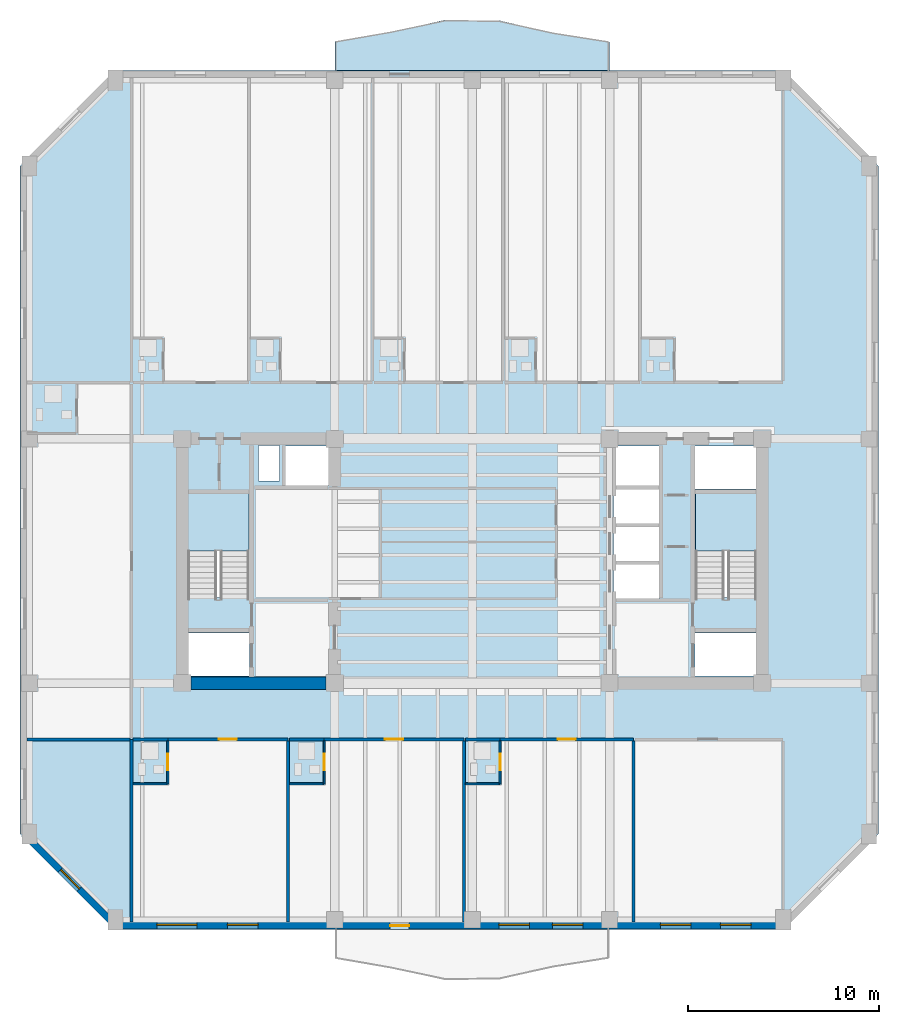
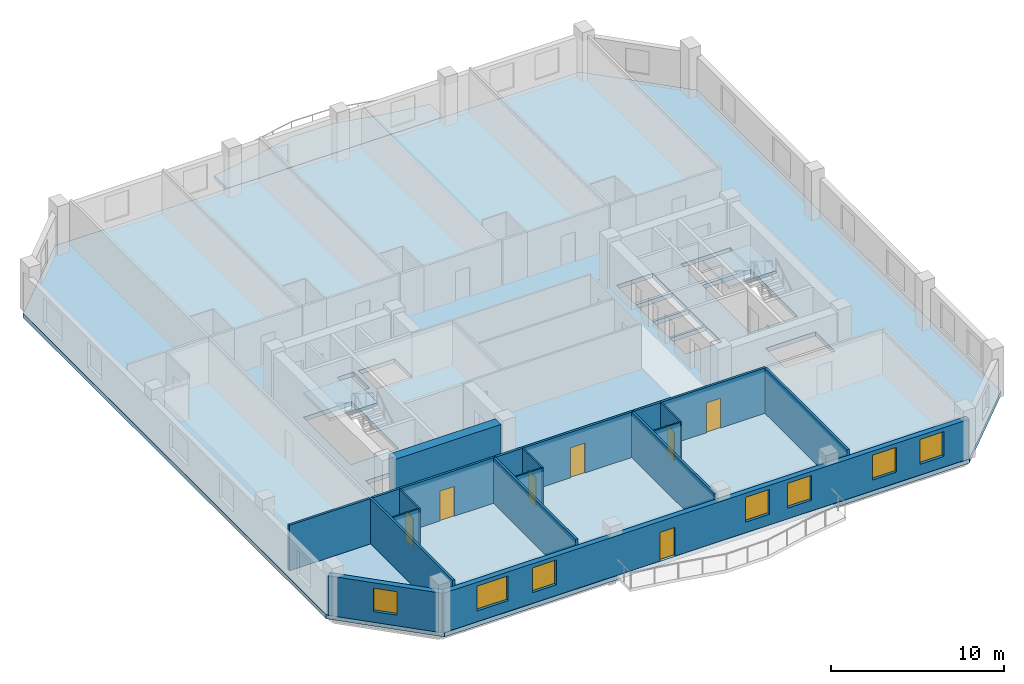
# One storey, part 2 of 10: 20 walls, 7 doors, 7 windows, 4 slabs, 14 openings, 2 elements without a shape of their own.
"""IFC4 building model written with IfcOpenShell, lengths in metres."""

from ifc_helpers import new_model, si_unit, direction, frame, frame_2d, origin, place, context, subcontext, project, spatial, polyline, rectangle, outline, extrude, material, layer, layer_set, type_object, element, fill, aggregate, save


model = new_model("IFC4")

# Units and contexts
model_context = context("Model", 3, precision=1e-05, world=origin(), true_north=direction((0.0, 1.0)))
body_context = subcontext(model_context, "Body", "Model", "MODEL_VIEW")
ifc_project = project(units=[si_unit("LENGTHUNIT", "METRE"), si_unit("AREAUNIT", "SQUARE_METRE"), si_unit("VOLUMEUNIT", "CUBIC_METRE"), si_unit("PLANEANGLEUNIT", "RADIAN"), si_unit("MASSUNIT", "GRAM", prefix="KILO")], contexts=[model_context])

# Site, building, storey
site_placement = place(None, origin())
site = spatial("IfcSite", under=ifc_project, at=site_placement, CompositionType="ELEMENT")
building_placement = place(site_placement, origin())
building = spatial("IfcBuilding", under=site, at=building_placement, Name="Kranthara Brick Stack", CompositionType="ELEMENT")
storey_placement = place(building_placement, frame((0.0, 0.0, 186.800048828125)))
storey = spatial("IfcBuildingStorey", under=building, at=storey_placement, Name="L48", CompositionType="ELEMENT", Elevation=186.800048828125)

# Slab
ifc_material_1 = material(Name="Concrete C45/55", Category="concrete")
ifc_layer_1 = layer(ifc_material_1, 0.219970703125)
ifc_layer_set_1 = layer_set([ifc_layer_1], Name="Concrete C45/55")
slab_type_1 = type_object("IfcSlabType", Name="SLB-BALC-220", PredefinedType="FLOOR", material=ifc_layer_set_1)
slab_1_placement = place(storey_placement, frame((0.0, 0.0, -0.219970703125)))
element("IfcSlab", 1, at=slab_1_placement, inside=storey, type_object=slab_type_1, Name="L48 North Rippling Balcony Slab", PredefinedType="FLOOR", context=body_context, shape_type="SweptSolid", body=[
    extrude(outline(polyline([(35.199951171875, 52.89990234375), (20.800048828125, 52.89990234375), (20.800048828125, 54.41357421875), (23.679931640625, 54.918701171875), (26.56005859375, 55.557373046875), (29.43994140625, 55.526611328125), (32.320068359375, 54.864990234375), (35.199951171875, 54.404541015625), (35.199951171875, 52.89990234375)])), origin(), (0.0, 0.0, 1.0), 0.219970703125),
])

# Stair, slab
ifc_material_2 = material(Name="Concrete C45/55", Category="concrete")
stair_type = type_object("IfcStairType", Name="ST-CORE-20R", PredefinedType="HALF_TURN_STAIR", material=ifc_material_2)
stair_1_placement = place(storey_placement, origin())
stair_1 = element("IfcStair", 2, at=stair_1_placement, inside=storey, type_object=stair_type, Name="L48 West Core Protected Exit Stair ST01", PredefinedType="HALF_TURN_STAIR")
ifc_material_3 = material(Name="Concrete C45/55", Category="concrete")
ifc_layer_2 = layer(ifc_material_3, 0.199951171875)
ifc_layer_set_2 = layer_set([ifc_layer_2], Name="Concrete C45/55")
slab_type_2 = type_object("IfcSlabType", Name="SLB-LANDING-200", PredefinedType="LANDING", material=ifc_layer_set_2)
slab_2_placement = place(storey_placement, frame((0.0, 0.0, 1.550048828125)))
slab_2 = element("IfcSlab", 3, at=slab_2_placement, type_object=slab_type_2, Name="ST01 landing 1", PredefinedType="LANDING", context=body_context, shape_type="SweptSolid", body=[
    extrude(outline(polyline([(16.300048828125, 27.719970703125), (16.300048828125, 30.75), (13.10009765625, 30.75), (13.10009765625, 27.719970703125), (16.300048828125, 27.719970703125)])), origin(), (0.0, 0.0, 1.0), 0.199951171875),
])
aggregate(stair_1, [slab_2])

stair_2_placement = place(storey_placement, origin())
stair_2 = element("IfcStair", 4, at=stair_2_placement, inside=storey, type_object=stair_type, Name="L48 East Core Protected Exit Stair ST02", PredefinedType="HALF_TURN_STAIR")
slab_3_placement = place(storey_placement, frame((0.0, 0.0, 1.550048828125)))
slab_3 = element("IfcSlab", 5, at=slab_3_placement, type_object=slab_type_2, Name="ST02 landing 1", PredefinedType="LANDING", context=body_context, shape_type="SweptSolid", body=[
    extrude(outline(polyline([(42.89990234375, 27.719970703125), (42.89990234375, 30.75), (39.699951171875, 30.75), (39.699951171875, 27.719970703125), (42.89990234375, 27.719970703125)])), origin(), (0.0, 0.0, 1.0), 0.199951171875),
])
aggregate(stair_2, [slab_3])

# Slab
ifc_material_4 = material(Name="Post-tensioned concrete C45/55", Category="concrete")
ifc_layer_3 = layer(ifc_material_4, 0.300048828125)
ifc_layer_set_3 = layer_set([ifc_layer_3], Name="Post-tensioned concrete C45/55")
slab_type_3 = type_object("IfcSlabType", Name="SLB-TWR-300", PredefinedType="FLOOR", material=ifc_layer_set_3)
slab_4_placement = place(storey_placement, frame((0.0, 0.0, -0.300048828125)))
element("IfcSlab", 6, at=slab_4_placement, inside=storey, type_object=slab_type_3, Name="L48 Structural Floor Plate", PredefinedType="FLOOR", context=body_context, shape_type="SweptSolid", body=[
    extrude(outline(polyline([(9.300048828125, 7.89990234375), (44.300048828125, 7.89990234375), (49.300048828125, 12.89990234375), (49.300048828125, 47.89990234375), (44.300048828125, 52.89990234375), (9.300048828125, 52.89990234375), (4.300048828125, 47.89990234375), (4.300048828125, 12.89990234375), (9.300048828125, 7.89990234375)]), holes=[polyline([(13.10009765625, 25.280029296875), (16.300048828125, 25.280029296875), (16.300048828125, 30.75), (13.10009765625, 30.75), (13.10009765625, 25.280029296875)]), polyline([(39.699951171875, 25.280029296875), (42.89990234375, 25.280029296875), (42.89990234375, 30.75), (39.699951171875, 30.75), (39.699951171875, 25.280029296875)]), polyline([(13.0, 21.179931640625), (16.320068359375, 21.179931640625), (16.320068359375, 23.419921875), (13.0, 23.419921875), (13.0, 21.179931640625)]), polyline([(39.679931640625, 21.179931640625), (43.0, 21.179931640625), (43.0, 23.419921875), (39.679931640625, 23.419921875), (39.679931640625, 21.179931640625)]), polyline([(39.679931640625, 30.97998046875), (43.0, 30.97998046875), (43.0, 33.219970703125), (39.679931640625, 33.219970703125), (39.679931640625, 30.97998046875)]), polyline([(35.39990234375, 25.25), (37.800048828125, 25.25), (37.800048828125, 27.050048828125), (35.39990234375, 27.050048828125), (35.39990234375, 25.25)]), polyline([(35.39990234375, 27.199951171875), (37.800048828125, 27.199951171875), (37.800048828125, 29.0), (35.39990234375, 29.0), (35.39990234375, 27.199951171875)]), polyline([(35.39990234375, 29.14990234375), (37.800048828125, 29.14990234375), (37.800048828125, 30.949951171875), (35.39990234375, 30.949951171875), (35.39990234375, 29.14990234375)]), polyline([(18.199951171875, 31.14990234375), (20.60009765625, 31.14990234375), (20.60009765625, 33.219970703125), (18.199951171875, 33.219970703125), (18.199951171875, 31.14990234375)]), polyline([(35.39990234375, 31.14990234375), (37.800048828125, 31.14990234375), (37.800048828125, 33.219970703125), (35.39990234375, 33.219970703125), (35.39990234375, 31.14990234375)]), polyline([(16.800048828125, 31.39990234375), (17.89990234375, 31.39990234375), (17.89990234375, 33.25), (16.800048828125, 33.25), (16.800048828125, 31.39990234375)])]), origin(), (0.0, 0.0, 1.0), 0.300048828125),
])

# Wall, openings, door, windows
ifc_material_5 = material(Name="Kiln-fired clay brick masonry M15", Category="masonry")
ifc_layer_4 = layer(ifc_material_5, 0.35009765625)
ifc_layer_set_4 = layer_set([ifc_layer_4], Name="Kiln-fired clay brick masonry M15")
wall_type_1 = type_object("IfcWallType", Name="WL-BRK-SPND-350", PredefinedType="STANDARD", material=ifc_layer_set_4)
wall_1_placement = place(storey_placement, frame((44.300048828125, 8.094970703125, 0.0), z_axis=(0.0, 0.0, 1.0), x_axis=(-1.0, 0.0, 0.0)))
wall_1 = element("IfcWall", 7, at=wall_1_placement, inside=storey, type_object=wall_type_1, Name="L48 Exterior Brick Facade Wall SOUTH 1", PredefinedType="STANDARD", context=body_context, shape_type="SweptSolid", body=[
    extrude(rectangle(XDim=35.0, YDim=0.35009765625, at=frame_2d((17.5, 0.0))), origin(), (0.0, 0.0, 1.0), 2.784912109375),
])
opening_1_placement = place(wall_1_placement, frame((19.60009765625, 0.0, 0.0)))
opening_1 = element("IfcOpeningElement", 8, at=opening_1_placement, cuts=wall_1, Name="Opening D03", PredefinedType="OPENING", context=body_context, shape_type="SweptSolid", body=[
    extrude(rectangle(XDim=1.0, YDim=2.02001953125, at=frame_2d((0.5, 1.010009765625))), frame((0.0, 0.18505859375, 0.0), z_axis=(0.0, -1.0, 0.0), x_axis=(1.0, 0.0, 0.0)), (0.0, 0.0, 1.0), 0.3701171875),
])
opening_2_placement = place(wall_1_placement, frame((1.68603515625, 0.0, 0.75)))
opening_2 = element("IfcOpeningElement", 9, at=opening_2_placement, cuts=wall_1, Name="Opening WN04", PredefinedType="OPENING", context=body_context, shape_type="SweptSolid", body=[
    extrude(rectangle(XDim=1.60009765625, YDim=1.75, at=frame_2d((0.800048828125, 0.875))), frame((0.0, 0.18505859375, 0.0), z_axis=(0.0, -1.0, 0.0), x_axis=(1.0, 0.0, 0.0)), (0.0, 0.0, 1.0), 0.3701171875),
])
opening_3_placement = place(wall_1_placement, frame((4.843017578125, 0.0, 0.75)))
opening_3 = element("IfcOpeningElement", 10, at=opening_3_placement, cuts=wall_1, Name="Opening WN04", PredefinedType="OPENING", context=body_context, shape_type="SweptSolid", body=[
    extrude(rectangle(XDim=1.60009765625, YDim=1.75, at=frame_2d((0.800048828125, 0.875))), frame((0.0, 0.18505859375, 0.0), z_axis=(0.0, -1.0, 0.0), x_axis=(1.0, 0.0, 0.0)), (0.0, 0.0, 1.0), 0.3701171875),
])
opening_4_placement = place(wall_1_placement, frame((10.49609375, 0.0, 0.75)))
opening_4 = element("IfcOpeningElement", 11, at=opening_4_placement, cuts=wall_1, Name="Opening WN04", PredefinedType="OPENING", context=body_context, shape_type="SweptSolid", body=[
    extrude(rectangle(XDim=1.60009765625, YDim=1.75, at=frame_2d((0.800048828125, 0.875))), frame((0.0, 0.18505859375, 0.0), z_axis=(0.0, -1.0, 0.0), x_axis=(1.0, 0.0, 0.0)), (0.0, 0.0, 1.0), 0.3701171875),
])
opening_5_placement = place(wall_1_placement, frame((13.303955078125, 0.0, 0.75)))
opening_5 = element("IfcOpeningElement", 12, at=opening_5_placement, cuts=wall_1, Name="Opening WN04", PredefinedType="OPENING", context=body_context, shape_type="SweptSolid", body=[
    extrude(rectangle(XDim=1.60009765625, YDim=1.75, at=frame_2d((0.800048828125, 0.875))), frame((0.0, 0.18505859375, 0.0), z_axis=(0.0, -1.0, 0.0), x_axis=(1.0, 0.0, 0.0)), (0.0, 0.0, 1.0), 0.3701171875),
])
opening_6_placement = place(wall_1_placement, frame((27.52490234375, 0.0, 0.75)))
opening_6 = element("IfcOpeningElement", 13, at=opening_6_placement, cuts=wall_1, Name="Opening WN04", PredefinedType="OPENING", context=body_context, shape_type="SweptSolid", body=[
    extrude(rectangle(XDim=1.60009765625, YDim=1.75, at=frame_2d((0.800048828125, 0.875))), frame((0.0, 0.18505859375, 0.0), z_axis=(0.0, -1.0, 0.0), x_axis=(1.0, 0.0, 0.0)), (0.0, 0.0, 1.0), 0.3701171875),
])
opening_7_placement = place(wall_1_placement, frame((30.72900390625, 0.0, 0.75)))
opening_7 = element("IfcOpeningElement", 14, at=opening_7_placement, cuts=wall_1, Name="Opening WN05", PredefinedType="OPENING", context=body_context, shape_type="SweptSolid", body=[
    extrude(rectangle(XDim=2.10009765625, YDim=1.75, at=frame_2d((1.050048828125, 0.875))), frame((0.0, 0.18505859375, 0.0), z_axis=(0.0, -1.0, 0.0), x_axis=(1.0, 0.0, 0.0)), (0.0, 0.0, 1.0), 0.3701171875),
])
ifc_material_6 = material(Name="Bronze anodised aluminium and laminated glass", Category="aluminium")
door_type_1 = type_object("IfcDoorType", Name="DR-BALC-1000", OperationType="NOTDEFINED", PredefinedType="DOOR", material=ifc_material_6)
door_1_placement = place(opening_1_placement, origin())
door_1 = element("IfcDoor", 15, at=door_1_placement, inside=storey, type_object=door_type_1, Name="L48 South Balcony Terrace Door", OperationType="SINGLE_SWING_LEFT", OverallHeight=2.02001953125, OverallWidth=1.0, PredefinedType="DOOR", context=body_context, shape_type="SweptSolid", body=[
    extrude(rectangle(XDim=1.0, YDim=2.02001953125, at=frame_2d((0.5, 1.010009765625))), frame((0.0, 0.02490234375, 0.0), z_axis=(0.0, -1.0, 0.0), x_axis=(1.0, 0.0, 0.0)), (0.0, 0.0, 1.0), 0.050048828125),
])
fill(opening_1, door_1)
ifc_material_7 = material(Name="Double-glazed low-E solar control glass", Category="glass")
window_type_1 = type_object("IfcWindowType", Name="WN-HTL-1600x1850", PartitioningType="DOUBLE_PANEL_VERTICAL", PredefinedType="WINDOW", material=ifc_material_7)
window_1_placement = place(opening_2_placement, origin())
window_1 = element("IfcWindow", 16, at=window_1_placement, inside=storey, type_object=window_type_1, Name="L48 South Deep-Set Brick Window 01", OverallHeight=1.75, OverallWidth=1.60009765625, PartitioningType="SINGLE_PANEL", PredefinedType="WINDOW", context=body_context, shape_type="SweptSolid", body=[
    extrude(rectangle(XDim=1.60009765625, YDim=1.75, at=frame_2d((0.800048828125, 0.875))), frame((0.0, -0.010009765625, 0.0), z_axis=(0.0, -1.0, 0.0), x_axis=(1.0, 0.0, 0.0)), (0.0, 0.0, 1.0), 0.06005859375),
])
fill(opening_2, window_1)
window_2_placement = place(opening_3_placement, origin())
window_2 = element("IfcWindow", 17, at=window_2_placement, inside=storey, type_object=window_type_1, Name="L48 South Deep-Set Brick Window 02", OverallHeight=1.75, OverallWidth=1.60009765625, PartitioningType="SINGLE_PANEL", PredefinedType="WINDOW", context=body_context, shape_type="SweptSolid", body=[
    extrude(rectangle(XDim=1.60009765625, YDim=1.75, at=frame_2d((0.800048828125, 0.875))), frame((0.0, -0.010009765625, 0.0), z_axis=(0.0, -1.0, 0.0), x_axis=(1.0, 0.0, 0.0)), (0.0, 0.0, 1.0), 0.06005859375),
])
fill(opening_3, window_2)
window_3_placement = place(opening_4_placement, origin())
window_3 = element("IfcWindow", 18, at=window_3_placement, inside=storey, type_object=window_type_1, Name="L48 South Deep-Set Brick Window 03", OverallHeight=1.75, OverallWidth=1.60009765625, PartitioningType="SINGLE_PANEL", PredefinedType="WINDOW", context=body_context, shape_type="SweptSolid", body=[
    extrude(rectangle(XDim=1.60009765625, YDim=1.75, at=frame_2d((0.800048828125, 0.875))), frame((0.0, -0.010009765625, 0.0), z_axis=(0.0, -1.0, 0.0), x_axis=(1.0, 0.0, 0.0)), (0.0, 0.0, 1.0), 0.06005859375),
])
fill(opening_4, window_3)
window_4_placement = place(opening_5_placement, origin())
window_4 = element("IfcWindow", 19, at=window_4_placement, inside=storey, type_object=window_type_1, Name="L48 South Deep-Set Brick Window 04", OverallHeight=1.75, OverallWidth=1.60009765625, PartitioningType="SINGLE_PANEL", PredefinedType="WINDOW", context=body_context, shape_type="SweptSolid", body=[
    extrude(rectangle(XDim=1.60009765625, YDim=1.75, at=frame_2d((0.800048828125, 0.875))), frame((0.0, -0.010009765625, 0.0), z_axis=(0.0, -1.0, 0.0), x_axis=(1.0, 0.0, 0.0)), (0.0, 0.0, 1.0), 0.06005859375),
])
fill(opening_5, window_4)
window_5_placement = place(opening_6_placement, origin())
window_5 = element("IfcWindow", 20, at=window_5_placement, inside=storey, type_object=window_type_1, Name="L48 South Deep-Set Brick Window 05", OverallHeight=1.75, OverallWidth=1.60009765625, PartitioningType="SINGLE_PANEL", PredefinedType="WINDOW", context=body_context, shape_type="SweptSolid", body=[
    extrude(rectangle(XDim=1.60009765625, YDim=1.75, at=frame_2d((0.800048828125, 0.875))), frame((0.0, -0.010009765625, 0.0), z_axis=(0.0, -1.0, 0.0), x_axis=(1.0, 0.0, 0.0)), (0.0, 0.0, 1.0), 0.06005859375),
])
fill(opening_6, window_5)
ifc_material_8 = material(Name="Double-glazed low-E solar control glass", Category="glass")
window_type_2 = type_object("IfcWindowType", Name="WN-HTL-2100x1850", PartitioningType="DOUBLE_PANEL_VERTICAL", PredefinedType="WINDOW", material=ifc_material_8)
window_6_placement = place(opening_7_placement, origin())
window_6 = element("IfcWindow", 21, at=window_6_placement, inside=storey, type_object=window_type_2, Name="L48 South Deep-Set Brick Window 06", OverallHeight=1.75, OverallWidth=2.10009765625, PartitioningType="SINGLE_PANEL", PredefinedType="WINDOW", context=body_context, shape_type="SweptSolid", body=[
    extrude(rectangle(XDim=2.10009765625, YDim=1.75, at=frame_2d((1.050048828125, 0.875))), frame((0.0, -0.010009765625, 0.0), z_axis=(0.0, -1.0, 0.0), x_axis=(1.0, 0.0, 0.0)), (0.0, 0.0, 1.0), 0.06005859375),
])
fill(opening_7, window_6)

# Wall, opening, window
wall_2_placement = place(storey_placement, frame((9.300048828125, 8.094970703125, 0.0), z_axis=(0.0, 0.0, 1.0), x_axis=(-0.707106781187, 0.707106781187, 0.0)))
wall_2 = element("IfcWall", 22, at=wall_2_placement, inside=storey, type_object=wall_type_1, Name="L48 Exterior Brick Facade Wall SW 1", PredefinedType="STANDARD", context=body_context, shape_type="SweptSolid", body=[
    extrude(rectangle(XDim=6.795166015625, YDim=0.35009765625, at=frame_2d((3.3974609375, 0.0))), origin(), (0.0, 0.0, 1.0), 2.784912109375),
])
opening_8_placement = place(wall_2_placement, frame((2.697998046875, 0.0, 0.75)))
opening_8 = element("IfcOpeningElement", 23, at=opening_8_placement, cuts=wall_2, Name="Opening WN10", PredefinedType="OPENING", context=body_context, shape_type="SweptSolid", body=[
    extrude(rectangle(XDim=1.39990234375, YDim=1.64990234375, at=frame_2d((0.699951171875, 0.824951171875))), frame((0.0, 0.18505859375, 0.0), z_axis=(0.0, -1.0, 0.0), x_axis=(1.0, 0.0, 0.0)), (0.0, 0.0, 1.0), 0.3701171875),
])
ifc_material_9 = material(Name="Double-glazed low-E solar control glass", Category="glass")
window_type_3 = type_object("IfcWindowType", Name="WN-CHM-1400x1750", PartitioningType="SINGLE_PANEL", PredefinedType="WINDOW", material=ifc_material_9)
window_7_placement = place(opening_8_placement, origin())
window_7 = element("IfcWindow", 24, at=window_7_placement, inside=storey, type_object=window_type_3, Name="L48 SW Chamfer Corner Window", OverallHeight=1.64990234375, OverallWidth=1.39990234375, PartitioningType="SINGLE_PANEL", PredefinedType="WINDOW", context=body_context, shape_type="SweptSolid", body=[
    extrude(rectangle(XDim=1.39990234375, YDim=1.64990234375, at=frame_2d((0.699951171875, 0.824951171875))), frame((0.0, -0.010009765625, 0.0), z_axis=(0.0, -1.0, 0.0), x_axis=(1.0, 0.0, 0.0)), (0.0, 0.0, 1.0), 0.06005859375),
])
fill(opening_8, window_7)

# Wall
ifc_material_10 = material(Name="Concrete C60/75", Category="concrete")
ifc_layer_5 = layer(ifc_material_10, 0.64990234375)
ifc_layer_set_5 = layer_set([ifc_layer_5], Name="Concrete C60/75")
wall_type_2 = type_object("IfcWallType", Name="WL-CORE-650", PredefinedType="SHEAR", material=ifc_layer_set_5)
wall_3_placement = place(storey_placement, frame((13.2548828125, 20.800048828125, 0.0), z_axis=(0.0, 0.0, 1.0), x_axis=(1.0, 0.0, 0.0)))
element("IfcWall", 25, at=wall_3_placement, inside=storey, type_object=wall_type_2, Name="L48 West Core Shear Wall South", PredefinedType="SHEAR", context=body_context, shape_type="SweptSolid", body=[
    extrude(rectangle(XDim=7.090087890625, YDim=0.64990234375, at=frame_2d((3.544921875, 0.0))), origin(), (0.0, 0.0, 1.0), 3.199951171875),
])

# Wall, opening, door
ifc_material_11 = material(Name="Moisture-resistant wet-room partition", Category="other")
ifc_layer_6 = layer(ifc_material_11, 0.10009765625)
ifc_layer_set_6 = layer_set([ifc_layer_6], Name="Moisture-resistant wet-room partition")
wall_type_3 = type_object("IfcWallType", Name="WL-PART-100", PredefinedType="PARTITIONING", material=ifc_layer_set_6)
wall_4_placement = place(storey_placement, frame((12.050048828125, 15.52001953125, 0.0), z_axis=(0.0, 0.0, 1.0), x_axis=(0.0, 1.0, 0.0)))
wall_4 = element("IfcWall", 26, at=wall_4_placement, inside=storey, type_object=wall_type_3, Name="L48 Interior Partition 012", PredefinedType="PARTITIONING", context=body_context, shape_type="SweptSolid", body=[
    extrude(rectangle(XDim=2.25, YDim=0.10009765625, at=frame_2d((1.125, 0.0))), origin(), (0.0, 0.0, 1.0), 3.199951171875),
])
opening_9_placement = place(wall_4_placement, frame((0.719970703125, 0.0, 0.0)))
opening_9 = element("IfcOpeningElement", 27, at=opening_9_placement, cuts=wall_4, Name="Opening D17", PredefinedType="OPENING", context=body_context, shape_type="SweptSolid", body=[
    extrude(rectangle(XDim=0.85009765625, YDim=2.050048828125, at=frame_2d((0.425048828125, 1.02490234375))), frame((0.0, 0.06005859375, 0.0), z_axis=(0.0, -1.0, 0.0), x_axis=(1.0, 0.0, 0.0)), (0.0, 0.0, 1.0), 0.1201171875),
])
ifc_material_12 = material(Name="Solid-core hardwood timber leaf in steel frame", Category="steel")
door_type_2 = type_object("IfcDoorType", Name="DR-WET-850", OperationType="NOTDEFINED", PredefinedType="DOOR", material=ifc_material_12)
door_2_placement = place(opening_9_placement, origin())
door_2 = element("IfcDoor", 28, at=door_2_placement, inside=storey, type_object=door_type_2, Name="L48 Key 01 En-Suite Door 07", OperationType="SINGLE_SWING_LEFT", OverallHeight=2.050048828125, OverallWidth=0.85009765625, PredefinedType="DOOR", context=body_context, shape_type="SweptSolid", body=[
    extrude(rectangle(XDim=0.85009765625, YDim=2.050048828125, at=frame_2d((0.425048828125, 1.02490234375))), frame((0.0, 0.02490234375, 0.0), z_axis=(0.0, -1.0, 0.0), x_axis=(1.0, 0.0, 0.0)), (0.0, 0.0, 1.0), 0.050048828125),
])
fill(opening_9, door_2)

# Wall
wall_5_placement = place(storey_placement, frame((10.22998046875, 15.52001953125, 0.0), z_axis=(0.0, 0.0, 1.0), x_axis=(1.0, 0.0, 0.0)))
element("IfcWall", 29, at=wall_5_placement, inside=storey, type_object=wall_type_3, Name="L48 Interior Partition 013", PredefinedType="PARTITIONING", context=body_context, shape_type="SweptSolid", body=[
    extrude(rectangle(XDim=1.76513671875, YDim=0.10009765625, at=frame_2d((0.882568359375, 0.0))), origin(), (0.0, 0.0, 1.0), 3.199951171875),
])

# Wall, opening, door
wall_6_placement = place(storey_placement, frame((20.24609375, 15.52001953125, 0.0), z_axis=(0.0, 0.0, 1.0), x_axis=(0.0, 1.0, 0.0)))
wall_6 = element("IfcWall", 30, at=wall_6_placement, inside=storey, type_object=wall_type_3, Name="L48 Interior Partition 017", PredefinedType="PARTITIONING", context=body_context, shape_type="SweptSolid", body=[
    extrude(rectangle(XDim=2.25, YDim=0.10009765625, at=frame_2d((1.125, 0.0))), origin(), (0.0, 0.0, 1.0), 3.199951171875),
])
opening_10_placement = place(wall_6_placement, frame((0.719970703125, 0.0, 0.0)))
opening_10 = element("IfcOpeningElement", 31, at=opening_10_placement, cuts=wall_6, Name="Opening D17", PredefinedType="OPENING", context=body_context, shape_type="SweptSolid", body=[
    extrude(rectangle(XDim=0.85009765625, YDim=2.050048828125, at=frame_2d((0.425048828125, 1.02490234375))), frame((0.0, 0.06005859375, 0.0), z_axis=(0.0, -1.0, 0.0), x_axis=(1.0, 0.0, 0.0)), (0.0, 0.0, 1.0), 0.1201171875),
])
door_3_placement = place(opening_10_placement, origin())
door_3 = element("IfcDoor", 32, at=door_3_placement, inside=storey, type_object=door_type_2, Name="L48 Key 02 En-Suite Door 09", OperationType="SINGLE_SWING_LEFT", OverallHeight=2.050048828125, OverallWidth=0.85009765625, PredefinedType="DOOR", context=body_context, shape_type="SweptSolid", body=[
    extrude(rectangle(XDim=0.85009765625, YDim=2.050048828125, at=frame_2d((0.425048828125, 1.02490234375))), frame((0.0, 0.02490234375, 0.0), z_axis=(0.0, -1.0, 0.0), x_axis=(1.0, 0.0, 0.0)), (0.0, 0.0, 1.0), 0.050048828125),
])
fill(opening_10, door_3)

# Wall
wall_7_placement = place(storey_placement, frame((18.426025390625, 15.52001953125, 0.0), z_axis=(0.0, 0.0, 1.0), x_axis=(1.0, 0.0, 0.0)))
element("IfcWall", 33, at=wall_7_placement, inside=storey, type_object=wall_type_3, Name="L48 Interior Partition 018", PredefinedType="PARTITIONING", context=body_context, shape_type="SweptSolid", body=[
    extrude(rectangle(XDim=1.764892578125, YDim=0.10009765625, at=frame_2d((0.88232421875, 0.0))), origin(), (0.0, 0.0, 1.0), 3.199951171875),
])

# Wall, opening, door
wall_8_placement = place(storey_placement, frame((29.466064453125, 15.52001953125, 0.0), z_axis=(0.0, 0.0, 1.0), x_axis=(0.0, 1.0, 0.0)))
wall_8 = element("IfcWall", 34, at=wall_8_placement, inside=storey, type_object=wall_type_3, Name="L48 Interior Partition 022", PredefinedType="PARTITIONING", context=body_context, shape_type="SweptSolid", body=[
    extrude(rectangle(XDim=2.25, YDim=0.10009765625, at=frame_2d((1.125, 0.0))), origin(), (0.0, 0.0, 1.0), 3.199951171875),
])
opening_11_placement = place(wall_8_placement, frame((0.719970703125, 0.0, 0.0)))
opening_11 = element("IfcOpeningElement", 35, at=opening_11_placement, cuts=wall_8, Name="Opening D17", PredefinedType="OPENING", context=body_context, shape_type="SweptSolid", body=[
    extrude(rectangle(XDim=0.85009765625, YDim=2.050048828125, at=frame_2d((0.425048828125, 1.02490234375))), frame((0.0, 0.06005859375, 0.0), z_axis=(0.0, -1.0, 0.0), x_axis=(1.0, 0.0, 0.0)), (0.0, 0.0, 1.0), 0.1201171875),
])
door_4_placement = place(opening_11_placement, origin())
door_4 = element("IfcDoor", 36, at=door_4_placement, inside=storey, type_object=door_type_2, Name="L48 Key 03 En-Suite Door 11", OperationType="SINGLE_SWING_LEFT", OverallHeight=2.050048828125, OverallWidth=0.85009765625, PredefinedType="DOOR", context=body_context, shape_type="SweptSolid", body=[
    extrude(rectangle(XDim=0.85009765625, YDim=2.050048828125, at=frame_2d((0.425048828125, 1.02490234375))), frame((0.0, 0.02490234375, 0.0), z_axis=(0.0, -1.0, 0.0), x_axis=(1.0, 0.0, 0.0)), (0.0, 0.0, 1.0), 0.050048828125),
])
fill(opening_11, door_4)

# Walls
wall_9_placement = place(storey_placement, frame((27.64599609375, 15.52001953125, 0.0), z_axis=(0.0, 0.0, 1.0), x_axis=(1.0, 0.0, 0.0)))
element("IfcWall", 37, at=wall_9_placement, inside=storey, type_object=wall_type_3, Name="L48 Interior Partition 023", PredefinedType="PARTITIONING", context=body_context, shape_type="SweptSolid", body=[
    extrude(rectangle(XDim=1.764892578125, YDim=0.10009765625, at=frame_2d((0.88232421875, 0.0))), origin(), (0.0, 0.0, 1.0), 3.199951171875),
])
ifc_material_13 = material(Name="Fire-rated gypsum board partition", Category="other")
ifc_layer_7 = layer(ifc_material_13, 0.14990234375)
ifc_layer_set_7 = layer_set([ifc_layer_7], Name="Fire-rated gypsum board partition")
wall_type_4 = type_object("IfcWallType", Name="WL-PART-150", PredefinedType="PARTITIONING", material=ifc_layer_set_7)
wall_10_placement = place(storey_placement, frame((10.14990234375, 8.27490234375, 0.0), z_axis=(0.0, 0.0, 1.0), x_axis=(0.0, 1.0, 0.0)))
element("IfcWall", 38, at=wall_10_placement, inside=storey, type_object=wall_type_4, Name="L48 Interior Partition 009", PredefinedType="PARTITIONING", context=body_context, shape_type="SweptSolid", body=[
    extrude(rectangle(XDim=9.5751953125, YDim=0.14990234375, at=frame_2d((4.78759765625, 0.0))), origin(), (0.0, 0.0, 1.0), 3.199951171875),
])
wall_11_placement = place(storey_placement, frame((10.22998046875, 17.85009765625, 0.0), z_axis=(0.0, 0.0, 1.0), x_axis=(1.0, 0.0, 0.0)))
element("IfcWall", 39, at=wall_11_placement, inside=storey, type_object=wall_type_4, Name="L48 Interior Partition 010", PredefinedType="PARTITIONING", context=body_context, shape_type="SweptSolid", body=[
    extrude(rectangle(XDim=1.820068359375, YDim=0.14990234375, at=frame_2d((0.91015625, 0.0))), origin(), (0.0, 0.0, 1.0), 3.199951171875),
])

# Wall, opening, door
wall_12_placement = place(storey_placement, frame((12.050048828125, 17.85009765625, 0.0), z_axis=(0.0, 0.0, 1.0), x_axis=(1.0, 0.0, 0.0)))
wall_12 = element("IfcWall", 40, at=wall_12_placement, inside=storey, type_object=wall_type_4, Name="L48 Interior Partition 011", PredefinedType="PARTITIONING", context=body_context, shape_type="SweptSolid", body=[
    extrude(rectangle(XDim=6.2958984375, YDim=0.14990234375, at=frame_2d((3.14794921875, 0.0))), origin(), (0.0, 0.0, 1.0), 3.199951171875),
])
opening_12_placement = place(wall_12_placement, frame((2.66796875, 0.0, 0.0)))
opening_12 = element("IfcOpeningElement", 41, at=opening_12_placement, cuts=wall_12, Name="Opening D09", PredefinedType="OPENING", context=body_context, shape_type="SweptSolid", body=[
    extrude(rectangle(XDim=0.949951171875, YDim=2.10009765625, at=frame_2d((0.47509765625, 1.050048828125))), frame((0.0, 0.0849609375, 0.0), z_axis=(0.0, -1.0, 0.0), x_axis=(1.0, 0.0, 0.0)), (0.0, 0.0, 1.0), 0.169921875),
])
ifc_material_14 = material(Name="Solid-core hardwood timber leaf in steel frame", Category="steel")
door_type_3 = type_object("IfcDoorType", Name="DR-FD-950", OperationType="NOTDEFINED", PredefinedType="DOOR", material=ifc_material_14)
door_5_placement = place(opening_12_placement, origin())
door_5 = element("IfcDoor", 42, at=door_5_placement, inside=storey, type_object=door_type_3, Name="L48 Key 01 Entry 08", OperationType="SINGLE_SWING_RIGHT", OverallHeight=2.10009765625, OverallWidth=0.949951171875, PredefinedType="DOOR", context=body_context, shape_type="SweptSolid", body=[
    extrude(rectangle(XDim=0.949951171875, YDim=2.10009765625, at=frame_2d((0.47509765625, 1.050048828125))), frame((0.0, 0.02490234375, 0.0), z_axis=(0.0, -1.0, 0.0), x_axis=(1.0, 0.0, 0.0)), (0.0, 0.0, 1.0), 0.050048828125),
])
fill(opening_12, door_5)

# Walls
wall_13_placement = place(storey_placement, frame((18.345947265625, 8.27490234375, 0.0), z_axis=(0.0, 0.0, 1.0), x_axis=(0.0, 1.0, 0.0)))
element("IfcWall", 43, at=wall_13_placement, inside=storey, type_object=wall_type_4, Name="L48 Interior Partition 014", PredefinedType="PARTITIONING", context=body_context, shape_type="SweptSolid", body=[
    extrude(rectangle(XDim=9.4951171875, YDim=0.14990234375, at=frame_2d((4.74755859375, 0.0))), origin(), (0.0, 0.0, 1.0), 3.199951171875),
])
wall_14_placement = place(storey_placement, frame((18.426025390625, 17.85009765625, 0.0), z_axis=(0.0, 0.0, 1.0), x_axis=(1.0, 0.0, 0.0)))
element("IfcWall", 44, at=wall_14_placement, inside=storey, type_object=wall_type_4, Name="L48 Interior Partition 015", PredefinedType="PARTITIONING", context=body_context, shape_type="SweptSolid", body=[
    extrude(rectangle(XDim=1.820068359375, YDim=0.14990234375, at=frame_2d((0.91015625, 0.0))), origin(), (0.0, 0.0, 1.0), 3.199951171875),
])

# Wall, opening, door
wall_15_placement = place(storey_placement, frame((20.24609375, 17.85009765625, 0.0), z_axis=(0.0, 0.0, 1.0), x_axis=(1.0, 0.0, 0.0)))
wall_15 = element("IfcWall", 45, at=wall_15_placement, inside=storey, type_object=wall_type_4, Name="L48 Interior Partition 016", PredefinedType="PARTITIONING", context=body_context, shape_type="SweptSolid", body=[
    extrude(rectangle(XDim=7.31982421875, YDim=0.14990234375, at=frame_2d((3.659912109375, 0.0))), origin(), (0.0, 0.0, 1.0), 3.199951171875),
])
opening_13_placement = place(wall_15_placement, frame((3.179931640625, 0.0, 0.0)))
opening_13 = element("IfcOpeningElement", 46, at=opening_13_placement, cuts=wall_15, Name="Opening D09", PredefinedType="OPENING", context=body_context, shape_type="SweptSolid", body=[
    extrude(rectangle(XDim=0.949951171875, YDim=2.10009765625, at=frame_2d((0.47509765625, 1.050048828125))), frame((0.0, 0.0849609375, 0.0), z_axis=(0.0, -1.0, 0.0), x_axis=(1.0, 0.0, 0.0)), (0.0, 0.0, 1.0), 0.169921875),
])
door_6_placement = place(opening_13_placement, origin())
door_6 = element("IfcDoor", 47, at=door_6_placement, inside=storey, type_object=door_type_3, Name="L48 Key 02 Entry 10", OperationType="SINGLE_SWING_RIGHT", OverallHeight=2.10009765625, OverallWidth=0.949951171875, PredefinedType="DOOR", context=body_context, shape_type="SweptSolid", body=[
    extrude(rectangle(XDim=0.949951171875, YDim=2.10009765625, at=frame_2d((0.47509765625, 1.050048828125))), frame((0.0, 0.02490234375, 0.0), z_axis=(0.0, -1.0, 0.0), x_axis=(1.0, 0.0, 0.0)), (0.0, 0.0, 1.0), 0.050048828125),
])
fill(opening_13, door_6)

# Walls
wall_16_placement = place(storey_placement, frame((27.56591796875, 8.27490234375, 0.0), z_axis=(0.0, 0.0, 1.0), x_axis=(0.0, 1.0, 0.0)))
element("IfcWall", 48, at=wall_16_placement, inside=storey, type_object=wall_type_4, Name="L48 Interior Partition 019", PredefinedType="PARTITIONING", context=body_context, shape_type="SweptSolid", body=[
    extrude(rectangle(XDim=9.4951171875, YDim=0.14990234375, at=frame_2d((4.74755859375, 0.0))), origin(), (0.0, 0.0, 1.0), 3.199951171875),
])
wall_17_placement = place(storey_placement, frame((27.64599609375, 17.85009765625, 0.0), z_axis=(0.0, 0.0, 1.0), x_axis=(1.0, 0.0, 0.0)))
element("IfcWall", 49, at=wall_17_placement, inside=storey, type_object=wall_type_4, Name="L48 Interior Partition 020", PredefinedType="PARTITIONING", context=body_context, shape_type="SweptSolid", body=[
    extrude(rectangle(XDim=1.820068359375, YDim=0.14990234375, at=frame_2d((0.91015625, 0.0))), origin(), (0.0, 0.0, 1.0), 3.199951171875),
])

# Wall, opening, door
wall_18_placement = place(storey_placement, frame((29.466064453125, 17.85009765625, 0.0), z_axis=(0.0, 0.0, 1.0), x_axis=(1.0, 0.0, 0.0)))
wall_18 = element("IfcWall", 50, at=wall_18_placement, inside=storey, type_object=wall_type_4, Name="L48 Interior Partition 021", PredefinedType="PARTITIONING", context=body_context, shape_type="SweptSolid", body=[
    extrude(rectangle(XDim=6.97998046875, YDim=0.14990234375, at=frame_2d((3.489990234375, 0.0))), origin(), (0.0, 0.0, 1.0), 3.199951171875),
])
opening_14_placement = place(wall_18_placement, frame((3.010009765625, 0.0, 0.0)))
opening_14 = element("IfcOpeningElement", 51, at=opening_14_placement, cuts=wall_18, Name="Opening D09", PredefinedType="OPENING", context=body_context, shape_type="SweptSolid", body=[
    extrude(rectangle(XDim=0.949951171875, YDim=2.10009765625, at=frame_2d((0.47509765625, 1.050048828125))), frame((0.0, 0.0849609375, 0.0), z_axis=(0.0, -1.0, 0.0), x_axis=(1.0, 0.0, 0.0)), (0.0, 0.0, 1.0), 0.169921875),
])
door_7_placement = place(opening_14_placement, origin())
door_7 = element("IfcDoor", 52, at=door_7_placement, inside=storey, type_object=door_type_3, Name="L48 Key 03 Entry 12", OperationType="SINGLE_SWING_RIGHT", OverallHeight=2.10009765625, OverallWidth=0.949951171875, PredefinedType="DOOR", context=body_context, shape_type="SweptSolid", body=[
    extrude(rectangle(XDim=0.949951171875, YDim=2.10009765625, at=frame_2d((0.47509765625, 1.050048828125))), frame((0.0, 0.02490234375, 0.0), z_axis=(0.0, -1.0, 0.0), x_axis=(1.0, 0.0, 0.0)), (0.0, 0.0, 1.0), 0.050048828125),
])
fill(opening_14, door_7)

# Walls
wall_19_placement = place(storey_placement, frame((36.446044921875, 8.27490234375, 0.0), z_axis=(0.0, 0.0, 1.0), x_axis=(0.0, 1.0, 0.0)))
element("IfcWall", 53, at=wall_19_placement, inside=storey, type_object=wall_type_4, Name="L48 Interior Partition 024", PredefinedType="PARTITIONING", context=body_context, shape_type="SweptSolid", body=[
    extrude(rectangle(XDim=9.4951171875, YDim=0.14990234375, at=frame_2d((4.74755859375, 0.0))), origin(), (0.0, 0.0, 1.0), 3.199951171875),
])
wall_20_placement = place(storey_placement, frame((4.675048828125, 17.85009765625, 0.0), z_axis=(0.0, 0.0, 1.0), x_axis=(1.0, 0.0, 0.0)))
element("IfcWall", 54, at=wall_20_placement, inside=storey, type_object=wall_type_4, Name="L48 Interior Partition 053", PredefinedType="PARTITIONING", context=body_context, shape_type="SweptSolid", body=[
    extrude(rectangle(XDim=5.39501953125, YDim=0.14990234375, at=frame_2d((2.697509765625, 0.0))), origin(), (0.0, 0.0, 1.0), 3.199951171875),
])

save(model, "model.ifc")
